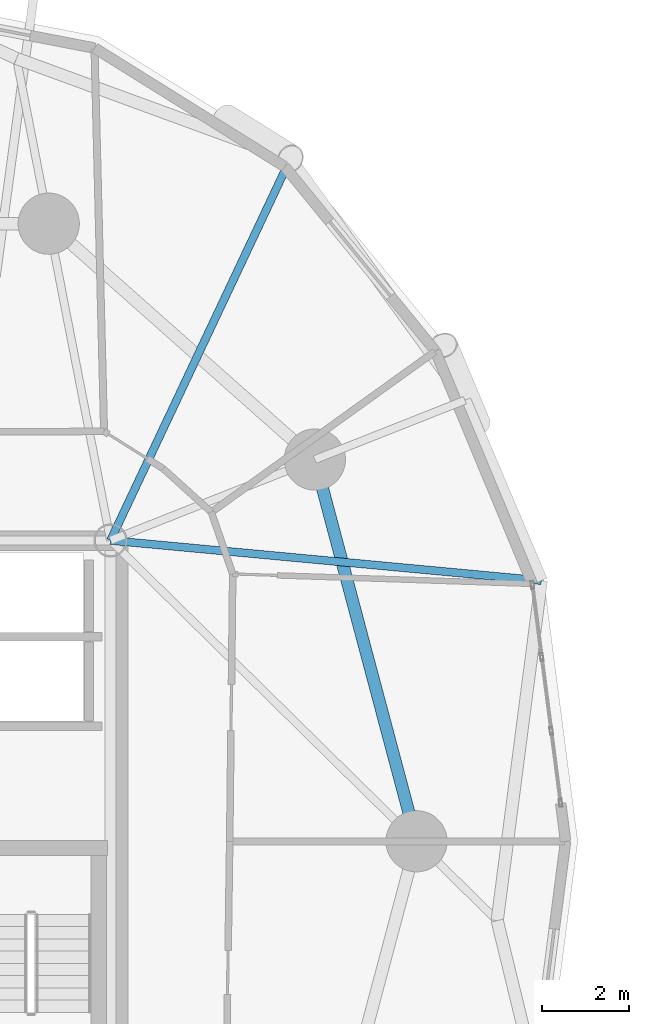
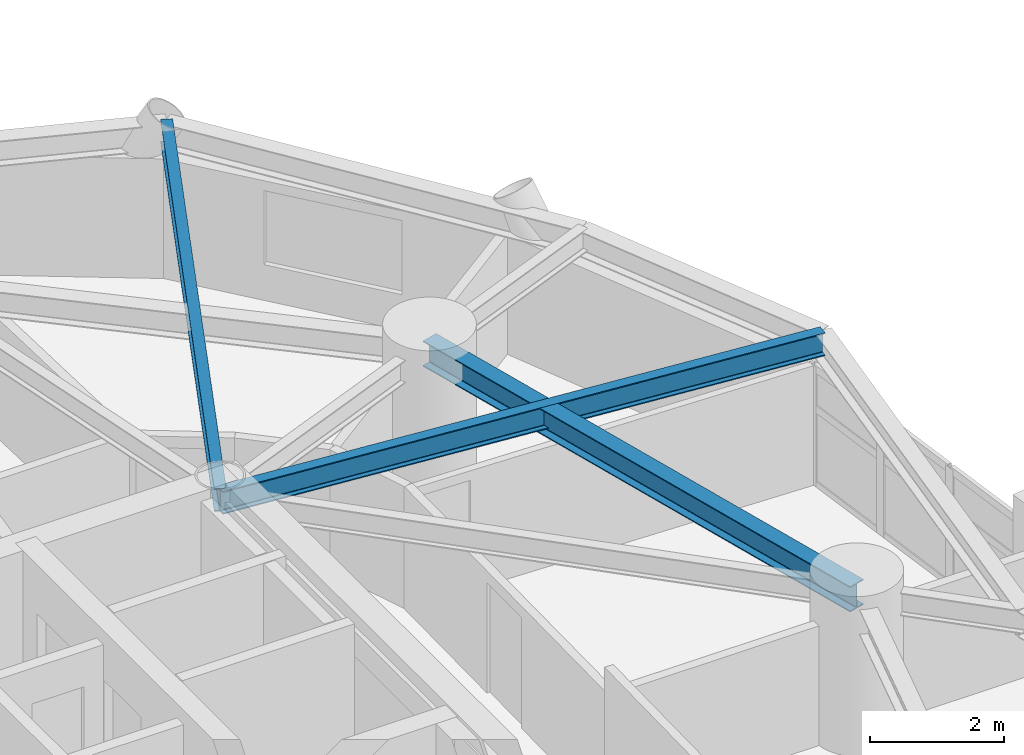
# One storey, part 3 of 17: 3 beams.
"""IFC4 building model written with IfcOpenShell, lengths in metres."""

from ifc_helpers import new_model, si_unit, direction, frame, origin, origin_2d, place, context, subcontext, project, spatial, i_section, extrude, material, material_profile, profile_set, type_object, element, save


model = new_model("IFC4")

# Units and contexts
model_context = context("Model", 3, precision=1e-05, world=origin(), true_north=direction((0.0, 1.0)))
body_context = subcontext(model_context, "Body", "Model", "MODEL_VIEW")
ifc_project = project(units=[si_unit("LENGTHUNIT", "METRE"), si_unit("AREAUNIT", "SQUARE_METRE"), si_unit("VOLUMEUNIT", "CUBIC_METRE"), si_unit("PLANEANGLEUNIT", "RADIAN"), si_unit("MASSUNIT", "GRAM", prefix="KILO")], contexts=[model_context])

# Site, building, storey
site_placement = place(None, origin())
site = spatial("IfcSite", under=ifc_project, at=site_placement, CompositionType="ELEMENT")
building_placement = place(site_placement, origin())
building = spatial("IfcBuilding", under=site, at=building_placement, Name="Cununo Teusaquillo Station Towers", CompositionType="ELEMENT")
storey_placement = place(building_placement, frame((0.0, 0.0, 81.7900390625)))
storey = spatial("IfcBuildingStorey", under=building, at=storey_placement, Name="L25", CompositionType="ELEMENT", Elevation=81.7900390625)

# Beams
ifc_material_1 = material(Name="Steel ASTM A572 Grade 50", Category="steel")
ifc_material_profile_1 = material_profile(ifc_material_1, i_section(OverallWidth=0.180908203125, OverallDepth=0.4169921875, WebThickness=0.010986328125, FlangeThickness=0.018310546875, FilletRadius=0.012939453125, at=origin_2d()), Name="W16X57")
ifc_profile_set_1 = profile_set([ifc_material_profile_1], Name="Steel ASTM A572 Grade 50")
beam_type_1 = type_object("IfcBeamType", Name="BM-JOIST-1", PredefinedType="JOIST", material=ifc_profile_set_1)
beam_1_placement = place(storey_placement, frame((21.675048828125, 31.3798828125, 2.46142578125), z_axis=(0.995678537907, -0.09286683558, 0.0), x_axis=(0.09286683558, 0.995678537907, 0.0)))
element("IfcBeam", 1, at=beam_1_placement, inside=storey, type_object=beam_type_1, Name="L25 Tower A Radial Spandrel Joist V01", PredefinedType="JOIST", context=body_context, shape_type="SweptSolid", body=[
    extrude(i_section(OverallWidth=0.180908203125, OverallDepth=0.4169921875, WebThickness=0.010986328125, FlangeThickness=0.018310546875, FilletRadius=0.012939453125, at=origin_2d()), origin(), (0.0, 0.0, 1.0), 9.895263671875),
])
beam_2_placement = place(storey_placement, frame((21.675048828125, 31.3798828125, 2.46142578125), z_axis=(0.426319838016, 0.904572493344, 0.0), x_axis=(-0.904572493344, 0.426319838016, 0.0)))
element("IfcBeam", 2, at=beam_2_placement, inside=storey, type_object=beam_type_1, Name="L25 Tower A Radial Spandrel Joist V03", PredefinedType="JOIST", context=body_context, shape_type="SweptSolid", body=[
    extrude(i_section(OverallWidth=0.180908203125, OverallDepth=0.4169921875, WebThickness=0.010986328125, FlangeThickness=0.018310546875, FilletRadius=0.012939453125, at=origin_2d()), origin(), (0.0, 0.0, 1.0), 9.646728515625),
])
ifc_material_2 = material(Name="Steel ASTM A572 Grade 50", Category="steel")
ifc_material_profile_2 = material_profile(ifc_material_2, i_section(OverallWidth=0.280029296875, OverallDepth=0.462890625, WebThickness=0.0107421875, FlangeThickness=0.017333984375, FilletRadius=0.013916015625, at=origin_2d()), Name="W18X76")
ifc_profile_set_2 = profile_set([ifc_material_profile_2], Name="Steel ASTM A572 Grade 50")
beam_type_2 = type_object("IfcBeamType", Name="BM-RING-Z2", PredefinedType="SPANDREL", material=ifc_profile_set_2)
beam_3_placement = place(storey_placement, frame((28.672119140625, 24.5, 2.4384765625), z_axis=(-0.257363196347, 0.966314744359, 0.0), x_axis=(-0.966314744359, -0.257363196347, 0.0)))
element("IfcBeam", 3, at=beam_3_placement, inside=storey, type_object=beam_type_2, Name="L25 Tower A Structural Column Ring Girder 01", PredefinedType="SPANDREL", context=body_context, shape_type="SweptSolid", body=[
    extrude(i_section(OverallWidth=0.280029296875, OverallDepth=0.462890625, WebThickness=0.0107421875, FlangeThickness=0.017333984375, FilletRadius=0.013916015625, at=origin_2d()), origin(), (0.0, 0.0, 1.0), 9.03271484375),
])

save(model, "model.ifc")
